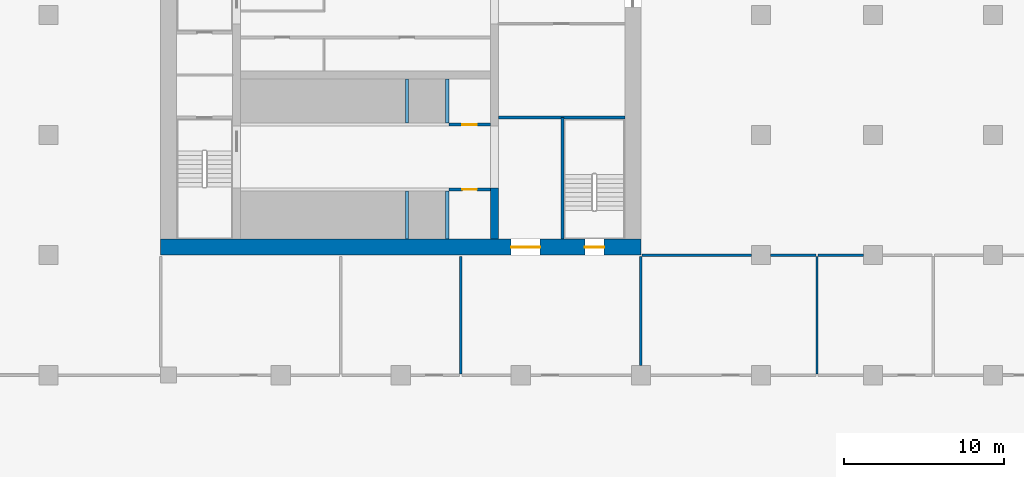
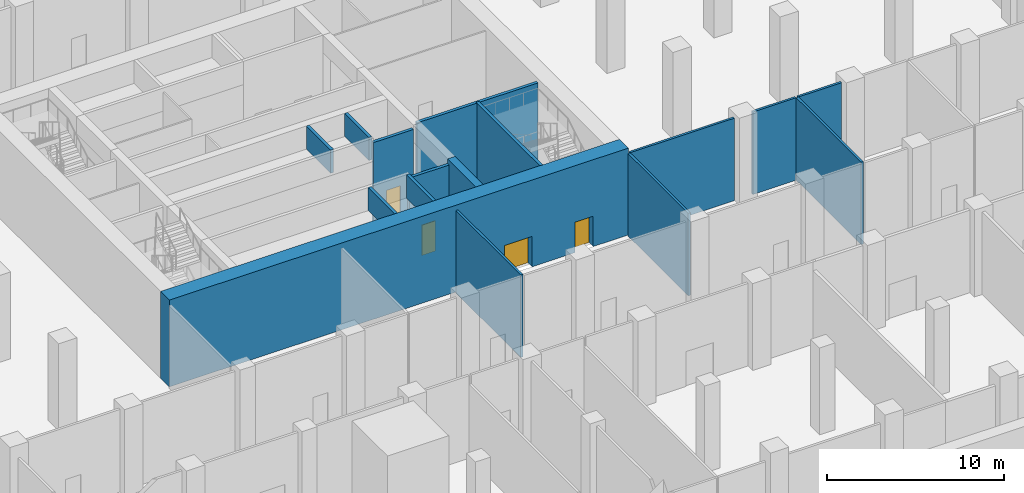
# One storey, part 6 of 45: 16 walls, 4 doors, 4 openings.
"""IFC4 building model written with IfcOpenShell, lengths in metres."""

from ifc_helpers import new_model, si_unit, direction, frame, frame_2d, origin, place, context, subcontext, project, spatial, rectangle, extrude, material, layer, layer_set, type_object, element, fill, save


model = new_model("IFC4")

# Units and contexts
model_context = context("Model", 3, precision=1e-05, world=origin(), true_north=direction((0.0, 1.0)))
body_context = subcontext(model_context, "Body", "Model", "MODEL_VIEW")
ifc_project = project(units=[si_unit("LENGTHUNIT", "METRE"), si_unit("AREAUNIT", "SQUARE_METRE"), si_unit("VOLUMEUNIT", "CUBIC_METRE"), si_unit("PLANEANGLEUNIT", "RADIAN"), si_unit("MASSUNIT", "GRAM", prefix="KILO")], contexts=[model_context])

# Site, building, storey
site_placement = place(None, origin())
site = spatial("IfcSite", under=ifc_project, at=site_placement, CompositionType="ELEMENT")
building_placement = place(site_placement, origin())
building = spatial("IfcBuilding", under=site, at=building_placement, Name="Tamorin Gate", CompositionType="ELEMENT")
storey_placement = place(building_placement, frame((0.0, 0.0, -6.0)))
storey = spatial("IfcBuildingStorey", under=building, at=storey_placement, Name="B1", CompositionType="ELEMENT", Elevation=-6.0)

# Walls
ifc_material_1 = material(Name="Concrete C32/40", Category="concrete")
ifc_layer_1 = layer(ifc_material_1, 0.199951171875)
ifc_layer_set_1 = layer_set([ifc_layer_1], Name="Lift shaft wall 200 EI 120")
wall_type_1 = type_object("IfcWallType", Name="Lift shaft wall 200 EI 120", PredefinedType="SOLIDWALL", material=ifc_layer_set_1)
for number, where, z_axis, x_axis, name in (
    (1, (45.39990234375, 61.0, 4.39990234375), (0.0, 0.0, 1.0), (0.0, 1.0, 0.0), "Lift shaft wall"),
    (2, (47.89990234375, 61.0, 4.39990234375), (0.0, 0.0, 1.0), (0.0, 1.0, 0.0), "Lift shaft wall"),
):
    element("IfcWall", number, at=place(storey_placement, frame(where, z_axis=z_axis, x_axis=x_axis)), inside=storey, type_object=wall_type_1, Name=name, PredefinedType="SOLIDWALL", context=body_context, shape_type="SweptSolid", body=[
        extrude(rectangle(XDim=3.0, YDim=0.199951171875, at=frame_2d((1.5, 0.0))), origin(), (0.0, 0.0, 1.0), 1.60009765625),
    ])
for number, where, z_axis, x_axis, name in (
    (3, (45.39990234375, 68.25, 4.39990234375), (0.0, 0.0, 1.0), (0.0, 1.0, 0.0), "Lift shaft wall"),
    (4, (47.89990234375, 68.25, 4.39990234375), (0.0, 0.0, 1.0), (0.0, 1.0, 0.0), "Lift shaft wall"),
):
    element("IfcWall", number, at=place(storey_placement, frame(where, z_axis=z_axis, x_axis=x_axis)), inside=storey, type_object=wall_type_1, Name=name, PredefinedType="SOLIDWALL", context=body_context, shape_type="SweptSolid", body=[
        extrude(rectangle(XDim=2.75, YDim=0.199951171875, at=frame_2d((1.375, 0.0))), origin(), (0.0, 0.0, 1.0), 1.60009765625),
    ])
ifc_material_2 = material(Name="Concrete masonry C20/25", Category="masonry")
ifc_layer_2 = layer(ifc_material_2, 0.14990234375)
ifc_layer_set_2 = layer_set([ifc_layer_2], Name="Partition 150")
wall_type_2 = type_object("IfcWallType", Name="Partition 150", PredefinedType="PARTITIONING", material=ifc_layer_set_2)
wall_1_placement = place(storey_placement, frame((60.074951171875, 60.0, 0.0), z_axis=(0.0, 0.0, 1.0), x_axis=(1.0, 0.0, 0.0)))
element("IfcWall", 5, at=wall_1_placement, inside=storey, type_object=wall_type_2, Name="Partition 150 B1", PredefinedType="PARTITIONING", context=body_context, shape_type="SweptSolid", body=[
    extrude(rectangle(XDim=6.824951171875, YDim=0.14990234375, at=frame_2d((3.41259765625, 0.0))), origin(), (0.0, 0.0, 1.0), 5.699951171875),
])
for number, where, z_axis, x_axis, name in (
    (6, (68.10009765625, 60.0, 0.0), (0.0, 0.0, 1.0), (1.0, 0.0, 0.0), "Partition 150 B1"),
    (7, (71.074951171875, 60.0, 0.0), (0.0, 0.0, 1.0), (1.0, 0.0, 0.0), "Partition 150 B1"),
):
    element("IfcWall", number, at=place(storey_placement, frame(where, z_axis=z_axis, x_axis=x_axis)), inside=storey, type_object=wall_type_2, Name=name, PredefinedType="PARTITIONING", context=body_context, shape_type="SweptSolid", body=[
        extrude(rectangle(XDim=2.824951171875, YDim=0.14990234375, at=frame_2d((1.41259765625, 0.0))), origin(), (0.0, 0.0, 1.0), 5.699951171875),
    ])
wall_2_placement = place(storey_placement, frame((48.75, 52.574951171875, 0.0), z_axis=(0.0, 0.0, 1.0), x_axis=(0.0, 1.0, 0.0)))
element("IfcWall", 8, at=wall_2_placement, inside=storey, type_object=wall_type_2, Name="Partition 150 B1", PredefinedType="PARTITIONING", context=body_context, shape_type="SweptSolid", body=[
    extrude(rectangle(XDim=7.35009765625, YDim=0.14990234375, at=frame_2d((3.675048828125, 0.0))), origin(), (0.0, 0.0, 1.0), 5.699951171875),
])
wall_3_placement = place(storey_placement, frame((60.0, 53.10009765625, 0.0), z_axis=(0.0, 0.0, 1.0), x_axis=(0.0, 1.0, 0.0)))
element("IfcWall", 9, at=wall_3_placement, inside=storey, type_object=wall_type_2, Name="Partition 150 B1", PredefinedType="PARTITIONING", context=body_context, shape_type="SweptSolid", body=[
    extrude(rectangle(XDim=6.824951171875, YDim=0.14990234375, at=frame_2d((3.41259765625, 0.0))), origin(), (0.0, 0.0, 1.0), 5.699951171875),
])
wall_4_placement = place(storey_placement, frame((71.0, 52.574951171875, 0.0), z_axis=(0.0, 0.0, 1.0), x_axis=(0.0, 1.0, 0.0)))
element("IfcWall", 10, at=wall_4_placement, inside=storey, type_object=wall_type_2, Name="Partition 150 B1", PredefinedType="PARTITIONING", context=body_context, shape_type="SweptSolid", body=[
    extrude(rectangle(XDim=7.35009765625, YDim=0.14990234375, at=frame_2d((3.675048828125, 0.0))), origin(), (0.0, 0.0, 1.0), 5.699951171875),
])
ifc_material_3 = material(Name="Concrete C80/95", Category="concrete")
ifc_layer_3 = layer(ifc_material_3, 0.5)
ifc_layer_set_3 = layer_set([ifc_layer_3], Name="RC core internal wall 500 C80/95")
wall_type_3 = type_object("IfcWallType", Name="RC core internal wall 500 C80/95", PredefinedType="SHEAR", material=ifc_layer_set_3)
wall_5_placement = place(storey_placement, frame((50.85009765625, 61.0, 0.0), z_axis=(0.0, 0.0, 1.0), x_axis=(0.0, 1.0, 0.0)))
element("IfcWall", 11, at=wall_5_placement, inside=storey, type_object=wall_type_3, Name="Core cross wall B1", PredefinedType="SHEAR", context=body_context, shape_type="SweptSolid", body=[
    extrude(rectangle(XDim=3.199951171875, YDim=0.5, at=frame_2d((1.60009765625, 0.0))), origin(), (0.0, 0.0, 1.0), 6.0),
])

# Wall, openings, doors
ifc_layer_4 = layer(ifc_material_3, 1.0)
ifc_layer_set_4 = layer_set([ifc_layer_4], Name="RC core wall 1000 C80/95")
wall_type_4 = type_object("IfcWallType", Name="RC core wall 1000 C80/95", PredefinedType="SHEAR", material=ifc_layer_set_4)
wall_6_placement = place(storey_placement, frame((30.0, 60.5, 0.0), z_axis=(0.0, 0.0, 1.0), x_axis=(1.0, 0.0, 0.0)))
wall_6 = element("IfcWall", 12, at=wall_6_placement, inside=storey, type_object=wall_type_4, Name="Core wall B1", PredefinedType="SHEAR", context=body_context, shape_type="SweptSolid", body=[
    extrude(rectangle(XDim=30.0, YDim=1.0, at=frame_2d((15.0, 0.0))), origin(), (0.0, 0.0, 1.0), 6.0),
])
opening_1_placement = place(wall_6_placement, frame((21.89990234375, 0.0, 0.0)))
opening_1 = element("IfcOpeningElement", 13, at=opening_1_placement, cuts=wall_6, Name="Opening DE1", PredefinedType="OPENING", context=body_context, shape_type="SweptSolid", body=[
    extrude(rectangle(XDim=1.800048828125, YDim=2.10009765625, at=frame_2d((0.89990234375, 1.050048828125))), frame((0.0, 0.510009765625, 0.0), z_axis=(0.0, -1.0, 0.0), x_axis=(1.0, 0.0, 0.0)), (0.0, 0.0, 1.0), 1.02001953125),
])
opening_2_placement = place(wall_6_placement, frame((26.5, 0.0, 0.0)))
opening_2 = element("IfcOpeningElement", 14, at=opening_2_placement, cuts=wall_6, Name="Opening DS1", PredefinedType="OPENING", context=body_context, shape_type="SweptSolid", body=[
    extrude(rectangle(XDim=1.199951171875, YDim=2.10009765625, at=frame_2d((0.60009765625, 1.050048828125))), frame((0.0, 0.510009765625, 0.0), z_axis=(0.0, -1.0, 0.0), x_axis=(1.0, 0.0, 0.0)), (0.0, 0.0, 1.0), 1.02001953125),
])
ifc_material_4 = material(Name="Steel fire door", Category="steel")
door_type_1 = type_object("IfcDoorType", Name="Lobby exit double door 1800 x 2100 EI 60", OperationType="DOUBLE_DOOR_SINGLE_SWING", PredefinedType="DOOR", material=ifc_material_4)
door_1_placement = place(opening_1_placement, origin())
door_1 = element("IfcDoor", 15, at=door_1_placement, inside=storey, type_object=door_type_1, Name="Lift lobby A exit door", OperationType="DOUBLE_DOOR_SINGLE_SWING", OverallHeight=2.10009765625, OverallWidth=1.800048828125, PredefinedType="DOOR", context=body_context, shape_type="SweptSolid", body=[
    extrude(rectangle(XDim=1.800048828125, YDim=2.10009765625, at=frame_2d((0.89990234375, 1.050048828125))), frame((0.0, 0.02490234375, 0.0), z_axis=(0.0, -1.0, 0.0), x_axis=(1.0, 0.0, 0.0)), (0.0, 0.0, 1.0), 0.050048828125),
])
fill(opening_1, door_1)
door_type_2 = type_object("IfcDoorType", Name="Stair door 1200 x 2100 EI 90", OperationType="SINGLE_SWING_LEFT", PredefinedType="DOOR", material=ifc_material_4)
door_2_placement = place(opening_2_placement, origin())
door_2 = element("IfcDoor", 16, at=door_2_placement, inside=storey, type_object=door_type_2, Name="ST3 door", OperationType="SINGLE_SWING_LEFT", OverallHeight=2.10009765625, OverallWidth=1.199951171875, PredefinedType="DOOR", context=body_context, shape_type="SweptSolid", body=[
    extrude(rectangle(XDim=1.199951171875, YDim=2.10009765625, at=frame_2d((0.60009765625, 1.050048828125))), frame((0.0, 0.02490234375, 0.0), z_axis=(0.0, -1.0, 0.0), x_axis=(1.0, 0.0, 0.0)), (0.0, 0.0, 1.0), 0.050048828125),
])
fill(opening_2, door_2)

# Wall, opening, door
ifc_material_5 = material(Name="Gypsum board partition")
ifc_layer_5 = layer(ifc_material_5, 0.199951171875)
ifc_layer_set_5 = layer_set([ifc_layer_5], Name="Service room face wall 200 EI 60")
wall_type_5 = type_object("IfcWallType", Name="Service room face wall 200 EI 60", PredefinedType="PARTITIONING", material=ifc_layer_set_5)
wall_7_placement = place(storey_placement, frame((48.0, 64.10009765625, 0.0), z_axis=(0.0, 0.0, 1.0), x_axis=(1.0, 0.0, 0.0)))
wall_7 = element("IfcWall", 17, at=wall_7_placement, inside=storey, type_object=wall_type_5, Name="Service room face wall", PredefinedType="PARTITIONING", context=body_context, shape_type="SweptSolid", body=[
    extrude(rectangle(XDim=2.60009765625, YDim=0.199951171875, at=frame_2d((1.300048828125, 0.0))), origin(), (0.0, 0.0, 1.0), 5.699951171875),
])
opening_3_placement = place(wall_7_placement, frame((0.85009765625, 0.0, 0.0)))
opening_3 = element("IfcOpeningElement", 18, at=opening_3_placement, cuts=wall_7, Name="Opening DK1", PredefinedType="OPENING", context=body_context, shape_type="SweptSolid", body=[
    extrude(rectangle(XDim=0.89990234375, YDim=2.10009765625, at=frame_2d((0.449951171875, 1.050048828125))), frame((0.0, 0.10986328125, 0.0), z_axis=(0.0, -1.0, 0.0), x_axis=(1.0, 0.0, 0.0)), (0.0, 0.0, 1.0), 0.219970703125),
])
ifc_material_6 = material(Name="Timber fire door", Category="wood")
door_type_3 = type_object("IfcDoorType", Name="Service room door 900 x 2100 EI 60", OperationType="SINGLE_SWING_LEFT", PredefinedType="DOOR", material=ifc_material_6)
door_3_placement = place(opening_3_placement, origin())
door_3 = element("IfcDoor", 19, at=door_3_placement, inside=storey, type_object=door_type_3, Name="Door Security store", OperationType="SINGLE_SWING_LEFT", OverallHeight=2.10009765625, OverallWidth=0.89990234375, PredefinedType="DOOR", context=body_context, shape_type="SweptSolid", body=[
    extrude(rectangle(XDim=0.89990234375, YDim=2.10009765625, at=frame_2d((0.449951171875, 1.050048828125))), frame((0.0, 0.02490234375, 0.0), z_axis=(0.0, -1.0, 0.0), x_axis=(1.0, 0.0, 0.0)), (0.0, 0.0, 1.0), 0.050048828125),
])
fill(opening_3, door_3)

wall_8_placement = place(storey_placement, frame((48.0, 68.14990234375, 0.0), z_axis=(0.0, 0.0, 1.0), x_axis=(1.0, 0.0, 0.0)))
wall_8 = element("IfcWall", 20, at=wall_8_placement, inside=storey, type_object=wall_type_5, Name="Service room face wall", PredefinedType="PARTITIONING", context=body_context, shape_type="SweptSolid", body=[
    extrude(rectangle(XDim=2.60009765625, YDim=0.199951171875, at=frame_2d((1.300048828125, 0.0))), origin(), (0.0, 0.0, 1.0), 5.699951171875),
])
opening_4_placement = place(wall_8_placement, frame((0.85009765625, 0.0, 0.0)))
opening_4 = element("IfcOpeningElement", 21, at=opening_4_placement, cuts=wall_8, Name="Opening DK1", PredefinedType="OPENING", context=body_context, shape_type="SweptSolid", body=[
    extrude(rectangle(XDim=0.89990234375, YDim=2.10009765625, at=frame_2d((0.449951171875, 1.050048828125))), frame((0.0, 0.10986328125, 0.0), z_axis=(0.0, -1.0, 0.0), x_axis=(1.0, 0.0, 0.0)), (0.0, 0.0, 1.0), 0.219970703125),
])
door_4_placement = place(opening_4_placement, origin())
door_4 = element("IfcDoor", 22, at=door_4_placement, inside=storey, type_object=door_type_3, Name="Door Waste store", OperationType="SINGLE_SWING_LEFT", OverallHeight=2.10009765625, OverallWidth=0.89990234375, PredefinedType="DOOR", context=body_context, shape_type="SweptSolid", body=[
    extrude(rectangle(XDim=0.89990234375, YDim=2.10009765625, at=frame_2d((0.449951171875, 1.050048828125))), frame((0.0, 0.02490234375, 0.0), z_axis=(0.0, -1.0, 0.0), x_axis=(1.0, 0.0, 0.0)), (0.0, 0.0, 1.0), 0.050048828125),
])
fill(opening_4, door_4)

# Walls
ifc_material_7 = material(Name="Concrete C40/50", Category="concrete")
ifc_layer_6 = layer(ifc_material_7, 0.199951171875)
ifc_layer_set_6 = layer_set([ifc_layer_6], Name="Stair enclosure wall 200 EI 120 C40/50")
wall_type_6 = type_object("IfcWallType", Name="Stair enclosure wall 200 EI 120 C40/50", PredefinedType="SOLIDWALL", material=ifc_layer_set_6)
wall_9_placement = place(storey_placement, frame((55.10009765625, 61.0, 0.0), z_axis=(0.0, 0.0, 1.0), x_axis=(0.0, 1.0, 0.0)))
element("IfcWall", 23, at=wall_9_placement, inside=storey, type_object=wall_type_6, Name="Stair enclosure wall", PredefinedType="SOLIDWALL", context=body_context, shape_type="SweptSolid", body=[
    extrude(rectangle(XDim=7.60009765625, YDim=0.199951171875, at=frame_2d((3.800048828125, 0.0))), origin(), (0.0, 0.0, 1.0), 5.699951171875),
])
wall_10_placement = place(storey_placement, frame((51.10009765625, 68.60009765625, 0.0), z_axis=(0.0, 0.0, 1.0), x_axis=(1.0, 0.0, 0.0)))
element("IfcWall", 24, at=wall_10_placement, inside=storey, type_object=wall_type_6, Name="Stair enclosure wall", PredefinedType="SOLIDWALL", context=body_context, shape_type="SweptSolid", body=[
    extrude(rectangle(XDim=7.89990234375, YDim=0.199951171875, at=frame_2d((3.949951171875, 0.0))), origin(), (0.0, 0.0, 1.0), 5.699951171875),
])

save(model, "model.ifc")
